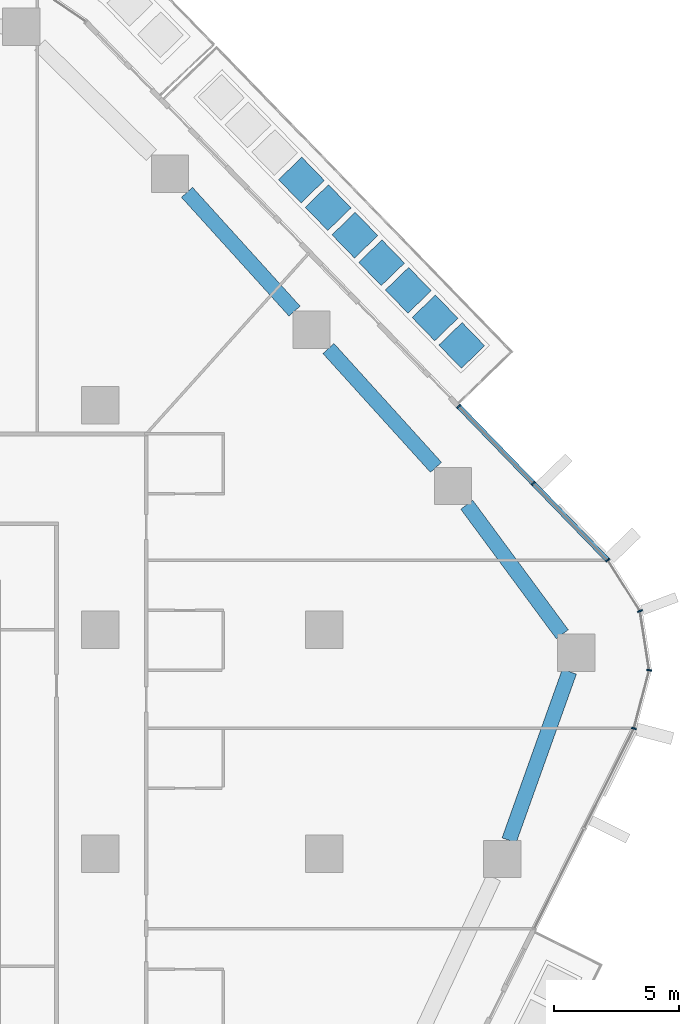
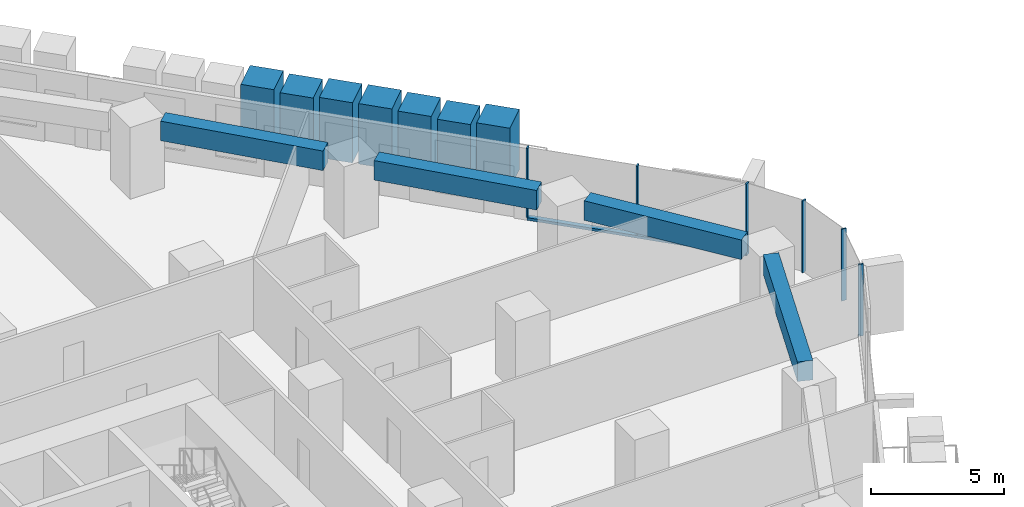
# One storey, part 8 of 27: 14 members, 4 beams, 2 elements without a shape of their own.
"""IFC4 building model written with IfcOpenShell, lengths in metres."""

from ifc_helpers import new_model, si_unit, direction, frame, origin, origin_2d, place, context, subcontext, project, spatial, rectangle, extrude, material, layer, layer_set, material_profile, profile_set, type_object, element, aggregate, save


model = new_model("IFC4")

# Units and contexts
model_context = context("Model", 3, precision=1e-05, world=origin(), true_north=direction((0.0, 1.0)))
body_context = subcontext(model_context, "Body", "Model", "MODEL_VIEW")
ifc_project = project(units=[si_unit("LENGTHUNIT", "METRE"), si_unit("AREAUNIT", "SQUARE_METRE"), si_unit("VOLUMEUNIT", "CUBIC_METRE"), si_unit("PLANEANGLEUNIT", "RADIAN"), si_unit("MASSUNIT", "GRAM", prefix="KILO")], contexts=[model_context])

# Site, building, storey
site_placement = place(None, origin())
site = spatial("IfcSite", under=ifc_project, at=site_placement, CompositionType="ELEMENT")
building_placement = place(site_placement, origin())
building = spatial("IfcBuilding", under=site, at=building_placement, Name="Dongbaek Canopy Tower", CompositionType="ELEMENT")
storey_placement = place(building_placement, frame((0.0, 0.0, 58.800048828125)))
storey = spatial("IfcBuildingStorey", under=building, at=storey_placement, Name="L10", CompositionType="ELEMENT", Elevation=58.800048828125)

# Curtain wall, members
ifc_material_1 = material(Name="Aluminium 6063-T6 pale anodised", Category="aluminium")
ifc_layer = layer(ifc_material_1, 0.199951171875)
ifc_layer_set = layer_set([ifc_layer], Name="CW-1 unitised tower curtain wall")
curtain_wall_type = type_object("IfcCurtainWallType", Name="CW-1 unitised tower curtain wall", PredefinedType="NOTDEFINED", material=ifc_layer_set)
curtain_wall_1_placement = place(storey_placement, origin())
curtain_wall_1 = element("IfcCurtainWall", 1, at=curtain_wall_1_placement, inside=storey, type_object=curtain_wall_type, Name="CW-1 curtain wall K0.1", PredefinedType="NOTDEFINED")
ifc_material_2 = material(Name="Aluminium 6063-T6 pale anodised", Category="aluminium")
ifc_material_profile_1 = material_profile(ifc_material_2, rectangle(XDim=0.199951171875, YDim=0.06005859375, at=origin_2d()), Name="CW-1 mullion 60 x 200")
ifc_profile_set_1 = profile_set([ifc_material_profile_1], Name="Aluminium 6063-T6 pale anodised")
member_type_1 = type_object("IfcMemberType", Name="CW-1 mullion 60 x 200", PredefinedType="MULLION", material=ifc_profile_set_1)
member_1_placement = place(storey_placement, frame((39.417724609375, 5.03466796875, 0.0), z_axis=(0.0, 0.0, 1.0), x_axis=(0.967250347585, -0.253824279961, 0.0)))
member_1 = element("IfcMember", 2, at=member_1_placement, type_object=member_type_1, Name="CW-1 mullion K0.1.1", PredefinedType="MULLION", context=body_context, shape_type="SweptSolid", body=[
    extrude(rectangle(XDim=0.199951171875, YDim=0.06005859375, at=origin_2d()), origin(), (0.0, 0.0, 1.0), 3.300048828125),
])
member_2_placement = place(storey_placement, frame((40.03076171875, 7.370849609375, 0.0), z_axis=(0.0, 0.0, 1.0), x_axis=(0.998682781596, -0.051309860105, 0.0)))
member_2 = element("IfcMember", 3, at=member_2_placement, type_object=member_type_1, Name="CW-1 mullion K0.1.2", PredefinedType="MULLION", context=body_context, shape_type="SweptSolid", body=[
    extrude(rectangle(XDim=0.199951171875, YDim=0.06005859375, at=origin_2d()), origin(), (0.0, 0.0, 1.0), 3.300048828125),
])
member_3_placement = place(storey_placement, frame((39.661865234375, 9.7470703125, 0.0), z_axis=(0.0, 0.0, 1.0), x_axis=(0.936154873842, 0.351587901074, 0.0)))
member_3 = element("IfcMember", 4, at=member_3_placement, type_object=member_type_1, Name="CW-1 mullion K0.1.3", PredefinedType="MULLION", context=body_context, shape_type="SweptSolid", body=[
    extrude(rectangle(XDim=0.199951171875, YDim=0.06005859375, at=origin_2d()), origin(), (0.0, 0.0, 1.0), 3.300048828125),
])
member_4_placement = place(storey_placement, frame((38.36962890625, 11.78759765625, 0.0), z_axis=(0.0, 0.0, 1.0), x_axis=(0.844820709713, 0.535049500926, 0.0)))
member_4 = element("IfcMember", 5, at=member_4_placement, type_object=member_type_1, Name="CW-1 mullion K0.1.4", PredefinedType="MULLION", context=body_context, shape_type="SweptSolid", body=[
    extrude(rectangle(XDim=0.199951171875, YDim=0.06005859375, at=origin_2d()), origin(), (0.0, 0.0, 1.0), 3.300048828125),
])
aggregate(curtain_wall_1, [member_1, member_2, member_3, member_4])

curtain_wall_2_placement = place(storey_placement, origin())
curtain_wall_2 = element("IfcCurtainWall", 6, at=curtain_wall_2_placement, inside=storey, type_object=curtain_wall_type, Name="CW-1 curtain wall F0.1", PredefinedType="NOTDEFINED")
member_5_placement = place(storey_placement, frame((35.3828125, 14.86865234375, 0.119873046875), z_axis=(0.0, 0.0, 1.0), x_axis=(0.718004001298, 0.69603897457, 0.0)))
member_5 = element("IfcMember", 7, at=member_5_placement, type_object=member_type_1, Name="CW-1 mullion F0.1.2", PredefinedType="MULLION", context=body_context, shape_type="SweptSolid", body=[
    extrude(rectangle(XDim=0.199951171875, YDim=0.06005859375, at=origin_2d()), origin(), (0.0, 0.0, 1.0), 3.18017578125),
])
member_6_placement = place(storey_placement, frame((32.388916015625, 17.95703125, 0.119873046875), z_axis=(0.0, 0.0, 1.0), x_axis=(0.718004001298, 0.69603897457, 0.0)))
member_6 = element("IfcMember", 8, at=member_6_placement, type_object=member_type_1, Name="CW-1 mullion F0.1.3", PredefinedType="MULLION", context=body_context, shape_type="SweptSolid", body=[
    extrude(rectangle(XDim=0.199951171875, YDim=0.06005859375, at=origin_2d()), origin(), (0.0, 0.0, 1.0), 3.18017578125),
])
ifc_material_3 = material(Name="Aluminium 6063-T6 pale anodised", Category="aluminium")
ifc_material_profile_2 = material_profile(ifc_material_3, rectangle(XDim=0.199951171875, YDim=0.1201171875, at=origin_2d()), Name="CW-1 transom 120 x 200")
ifc_profile_set_2 = profile_set([ifc_material_profile_2], Name="Aluminium 6063-T6 pale anodised")
member_type_2 = type_object("IfcMemberType", Name="CW-1 transom 120 x 200", PredefinedType="USERDEFINED", material=ifc_profile_set_2)
member_7_placement = place(storey_placement, frame((38.36962890625, 11.78759765625, 0.06005859375), z_axis=(-0.696039772903, 0.718003227386, 0.0), x_axis=(-0.718003227386, -0.696039772903, 0.0)))
member_7 = element("IfcMember", 9, at=member_7_placement, type_object=member_type_2, Name="CW-1 transom F0.1.1", ObjectType="TRANSOM", PredefinedType="USERDEFINED", context=body_context, shape_type="SweptSolid", body=[
    extrude(rectangle(XDim=0.199951171875, YDim=0.1201171875, at=origin_2d()), origin(), (0.0, 0.0, 1.0), 8.592529296875),
])
aggregate(curtain_wall_2, [member_5, member_6, member_7])

# Beams
ifc_material_4 = material(Name="Concrete C80", Category="concrete")
ifc_material_profile_3 = material_profile(ifc_material_4, rectangle(XDim=0.60009765625, YDim=0.89990234375, at=origin_2d()), Name="RC EDGE BEAM 600x900 C80")
ifc_profile_set_3 = profile_set([ifc_material_profile_3], Name="Concrete C80")
beam_type = type_object("IfcBeamType", Name="RC EDGE BEAM 600x900 C80", PredefinedType="BEAM", material=ifc_profile_set_3)
beam_1_placement = place(storey_placement, frame((21.484375, 26.547119140625, 2.849853515625), z_axis=(0.671288874095, -0.741195822652, 0.0), x_axis=(0.741195822652, 0.671288874095, 0.0)))
element("IfcBeam", 10, at=beam_1_placement, inside=storey, type_object=beam_type, Name="EDGEBEAM:L10:18", PredefinedType="BEAM", context=body_context, shape_type="SweptSolid", body=[
    extrude(rectangle(XDim=0.60009765625, YDim=0.89990234375, at=origin_2d()), origin(), (0.0, 0.0, 1.0), 6.432861328125),
])
beam_2_placement = place(storey_placement, frame((27.1611328125, 20.279052734375, 2.849853515625), z_axis=(0.671226318279, -0.741252473621, 0.0), x_axis=(0.741252473621, 0.671226318279, 0.0)))
element("IfcBeam", 11, at=beam_2_placement, inside=storey, type_object=beam_type, Name="EDGEBEAM:L10:19", PredefinedType="BEAM", context=body_context, shape_type="SweptSolid", body=[
    extrude(rectangle(XDim=0.60009765625, YDim=0.89990234375, at=origin_2d()), origin(), (0.0, 0.0, 1.0), 6.432373046875),
])
beam_3_placement = place(storey_placement, frame((32.71142578125, 14.010986328125, 2.849853515625), z_axis=(0.593731643304, -0.804663119411, 0.0), x_axis=(0.804663119411, 0.593731643304, 0.0)))
element("IfcBeam", 12, at=beam_3_placement, inside=storey, type_object=beam_type, Name="EDGEBEAM:L10:20", PredefinedType="BEAM", context=body_context, shape_type="SweptSolid", body=[
    extrude(rectangle(XDim=0.60009765625, YDim=0.89990234375, at=origin_2d()), origin(), (0.0, 0.0, 1.0), 6.456298828125),
])
beam_4_placement = place(storey_placement, frame((36.830078125, 7.31591796875, 2.849853515625), z_axis=(-0.336456848831, -0.941698884397, 0.0), x_axis=(0.941698884397, -0.336456848831, 0.0)))
element("IfcBeam", 13, at=beam_4_placement, inside=storey, type_object=beam_type, Name="EDGEBEAM:L10:21", PredefinedType="BEAM", context=body_context, shape_type="SweptSolid", body=[
    extrude(rectangle(XDim=0.60009765625, YDim=0.89990234375, at=origin_2d()), origin(), (0.0, 0.0, 1.0), 7.190185546875),
])

# Members
ifc_material_5 = material(Name="Concrete C40/50 planter mass with planting", Category="concrete")
ifc_material_profile_4 = material_profile(ifc_material_5, rectangle(XDim=1.300048828125, YDim=1.300048828125, at=origin_2d()), Name="Terrace PLANTER shrub mass 1300 x 1300")
ifc_profile_set_4 = profile_set([ifc_material_profile_4], Name="Concrete C40/50 planter mass with planting")
member_type_3 = type_object("IfcMemberType", Name="Terrace PLANTER shrub mass 1300 x 1300", PredefinedType="USERDEFINED", material=ifc_profile_set_4)
member_8_placement = place(storey_placement, frame((32.511474609375, 20.402099609375, 0.419921875), z_axis=(0.0, 0.0, 1.0), x_axis=(0.718004001298, 0.69603897457, 0.0)))
element("IfcMember", 14, at=member_8_placement, inside=storey, type_object=member_type_3, Name="Planter shrubs L10 1.1", ObjectType="PLANTER", PredefinedType="USERDEFINED", context=body_context, shape_type="SweptSolid", body=[
    extrude(rectangle(XDim=1.300048828125, YDim=1.300048828125, at=origin_2d()), origin(), (0.0, 0.0, 1.0), 2.780029296875),
])
member_9_placement = place(storey_placement, frame((31.439208984375, 21.50830078125, 0.419921875), z_axis=(0.0, 0.0, 1.0), x_axis=(0.718004001298, 0.69603897457, 0.0)))
element("IfcMember", 15, at=member_9_placement, inside=storey, type_object=member_type_3, Name="Planter shrubs L10 1.2", ObjectType="PLANTER", PredefinedType="USERDEFINED", context=body_context, shape_type="SweptSolid", body=[
    extrude(rectangle(XDim=1.300048828125, YDim=1.300048828125, at=origin_2d()), origin(), (0.0, 0.0, 1.0), 2.650146484375),
])
member_10_placement = place(storey_placement, frame((30.366943359375, 22.614501953125, 0.419921875), z_axis=(0.0, 0.0, 1.0), x_axis=(0.718004001298, 0.69603897457, 0.0)))
element("IfcMember", 16, at=member_10_placement, inside=storey, type_object=member_type_3, Name="Planter shrubs L10 1.3", ObjectType="PLANTER", PredefinedType="USERDEFINED", context=body_context, shape_type="SweptSolid", body=[
    extrude(rectangle(XDim=1.300048828125, YDim=1.300048828125, at=origin_2d()), origin(), (0.0, 0.0, 1.0), 2.72998046875),
])
member_11_placement = place(storey_placement, frame((29.294677734375, 23.720703125, 0.419921875), z_axis=(0.0, 0.0, 1.0), x_axis=(0.718004001298, 0.69603897457, 0.0)))
element("IfcMember", 17, at=member_11_placement, inside=storey, type_object=member_type_3, Name="Planter shrubs L10 1.4", ObjectType="PLANTER", PredefinedType="USERDEFINED", context=body_context, shape_type="SweptSolid", body=[
    extrude(rectangle(XDim=1.300048828125, YDim=1.300048828125, at=origin_2d()), origin(), (0.0, 0.0, 1.0), 2.780029296875),
])
member_12_placement = place(storey_placement, frame((28.222412109375, 24.82666015625, 0.419921875), z_axis=(0.0, 0.0, 1.0), x_axis=(0.718004001298, 0.69603897457, 0.0)))
element("IfcMember", 18, at=member_12_placement, inside=storey, type_object=member_type_3, Name="Planter shrubs L10 1.5", ObjectType="PLANTER", PredefinedType="USERDEFINED", context=body_context, shape_type="SweptSolid", body=[
    extrude(rectangle(XDim=1.300048828125, YDim=1.300048828125, at=origin_2d()), origin(), (0.0, 0.0, 1.0), 2.77001953125),
])
member_13_placement = place(storey_placement, frame((27.150146484375, 25.932861328125, 0.419921875), z_axis=(0.0, 0.0, 1.0), x_axis=(0.718004001298, 0.69603897457, 0.0)))
element("IfcMember", 19, at=member_13_placement, inside=storey, type_object=member_type_3, Name="Planter shrubs L10 1.6", ObjectType="PLANTER", PredefinedType="USERDEFINED", context=body_context, shape_type="SweptSolid", body=[
    extrude(rectangle(XDim=1.300048828125, YDim=1.300048828125, at=origin_2d()), origin(), (0.0, 0.0, 1.0), 2.68994140625),
])
member_14_placement = place(storey_placement, frame((26.07763671875, 27.0390625, 0.419921875), z_axis=(0.0, 0.0, 1.0), x_axis=(0.718004001298, 0.69603897457, 0.0)))
element("IfcMember", 20, at=member_14_placement, inside=storey, type_object=member_type_3, Name="Planter shrubs L10 1.7", ObjectType="PLANTER", PredefinedType="USERDEFINED", context=body_context, shape_type="SweptSolid", body=[
    extrude(rectangle(XDim=1.300048828125, YDim=1.300048828125, at=origin_2d()), origin(), (0.0, 0.0, 1.0), 2.780029296875),
])

save(model, "model.ifc")
